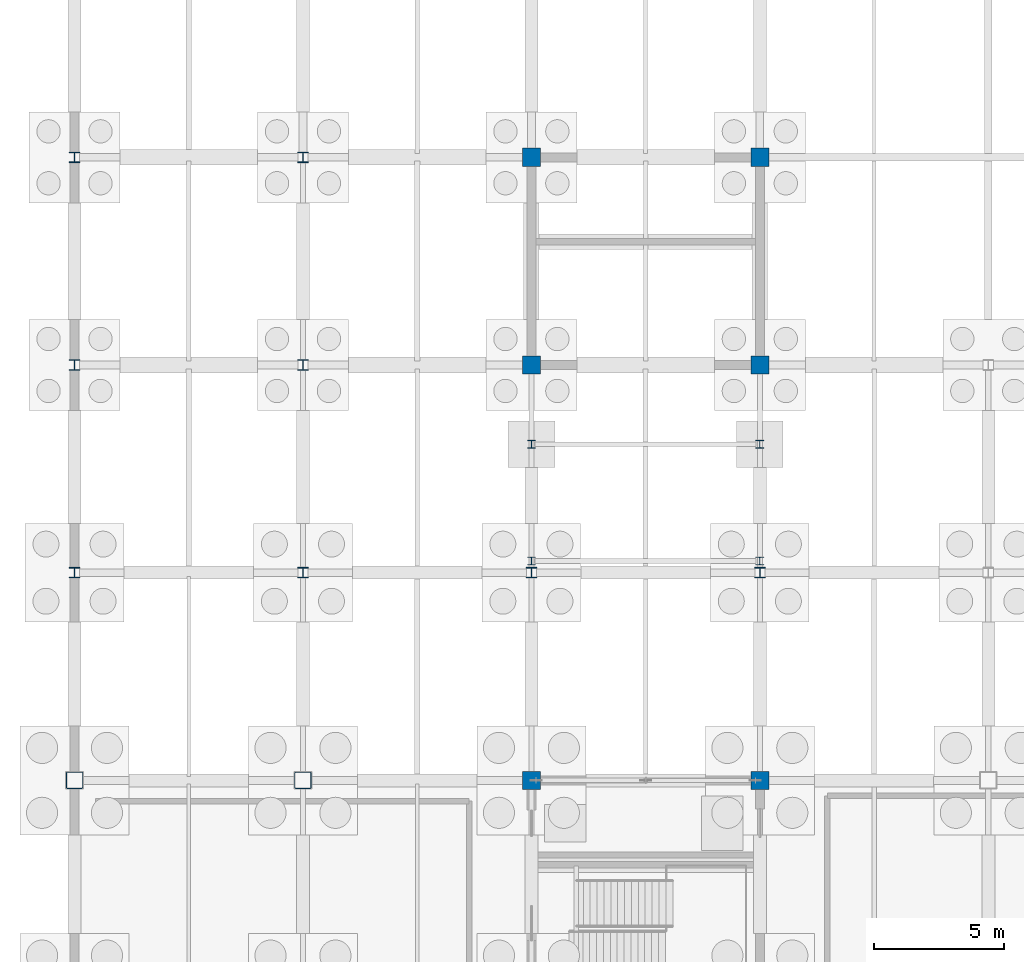
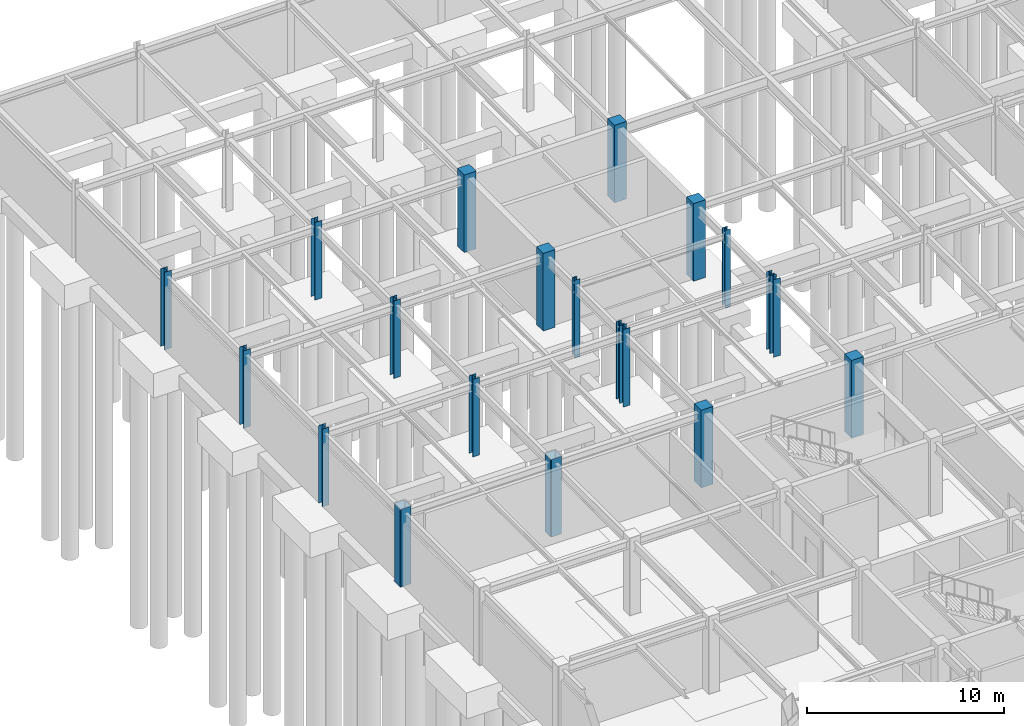
# One storey, part 21 of 72: 20 columns.
"""IFC4 building model written with IfcOpenShell, lengths in metres."""

from ifc_helpers import new_model, si_unit, direction, frame, origin, origin_2d, place, context, subcontext, project, spatial, rectangle, hollow_rectangle, i_section, extrude, material, material_profile, profile_set, type_object, element, save


model = new_model("IFC4")

# Units and contexts
model_context = context("Model", 3, precision=1e-05, world=origin(), true_north=direction((0.0, 1.0)))
body_context = subcontext(model_context, "Body", "Model", "MODEL_VIEW")
ifc_project = project(units=[si_unit("LENGTHUNIT", "METRE"), si_unit("AREAUNIT", "SQUARE_METRE"), si_unit("VOLUMEUNIT", "CUBIC_METRE"), si_unit("PLANEANGLEUNIT", "RADIAN"), si_unit("MASSUNIT", "GRAM", prefix="KILO")], contexts=[model_context])

# Site, building, storey
site_placement = place(None, origin())
site = spatial("IfcSite", under=ifc_project, at=site_placement, CompositionType="ELEMENT")
building_placement = place(site_placement, origin())
building = spatial("IfcBuilding", under=site, at=building_placement, Name="Zhaolan Boulevard Law Courts", CompositionType="ELEMENT")
storey_placement = place(building_placement, frame((0.0, 0.0, -4.800048828125)))
storey = spatial("IfcBuildingStorey", under=building, at=storey_placement, Name="B1", CompositionType="ELEMENT", Elevation=-4.800048828125)

# Columns
ifc_material_1 = material(Name="Structural steel Q390B", Category="steel")
ifc_material_profile_1 = material_profile(ifc_material_1, hollow_rectangle(XDim=0.64990234375, YDim=0.64990234375, WallThickness=0.02587890625, InnerFilletRadius=0.02587890625, OuterFilletRadius=0.052001953125, at=origin_2d()), Name="BOX650x650x26")
ifc_profile_set_1 = profile_set([ifc_material_profile_1], Name="Structural steel Q390B")
column_type_1 = type_object("IfcColumnType", Name="COL BOX650", PredefinedType="COLUMN", material=ifc_profile_set_1)
for number, where, z_axis, x_axis, name in (
    (1, (0.0, 70.0, 0.0), (0.0, 0.0, 1.0), (1.0, 0.0, 0.0), "Column C-1K (B1)"),
    (2, (8.800048828125, 70.0, 0.0), (0.0, 0.0, 1.0), (1.0, 0.0, 0.0), "Column C-2K (B1)"),
):
    element("IfcColumn", number, at=place(storey_placement, frame(where, z_axis=z_axis, x_axis=x_axis)), inside=storey, type_object=column_type_1, Name=name, PredefinedType="COLUMN", context=body_context, shape_type="SweptSolid", body=[
        extrude(hollow_rectangle(XDim=0.64990234375, YDim=0.64990234375, WallThickness=0.02587890625, InnerFilletRadius=0.02587890625, OuterFilletRadius=0.052001953125, at=origin_2d()), origin(), (0.0, 0.0, 1.0), 4.800048828125),
    ])
ifc_material_2 = material(Name="Structural steel Q355B", Category="steel")
ifc_material_profile_2 = material_profile(ifc_material_2, i_section(OverallWidth=0.300048828125, OverallDepth=0.300048828125, WebThickness=0.010009765625, FlangeThickness=0.014892578125, FilletRadius=0.01806640625, at=origin_2d()), Name="HW300x300")
ifc_profile_set_2 = profile_set([ifc_material_profile_2], Name="Structural steel Q355B")
column_type_2 = type_object("IfcColumnType", Name="COL HW300", PredefinedType="COLUMN", material=ifc_profile_set_2)
for number, where, z_axis, x_axis, name in (
    (3, (17.60009765625, 78.449951171875, 0.0), (0.0, 0.0, 1.0), (1.0, 0.0, 0.0), "Stairwell Substructure Column CS-ST12-1"),
    (4, (26.39990234375, 78.449951171875, 0.0), (0.0, 0.0, 1.0), (1.0, 0.0, 0.0), "Stairwell Substructure Column CS-ST12-2"),
    (5, (17.60009765625, 82.949951171875, 0.0), (0.0, 0.0, 1.0), (1.0, 0.0, 0.0), "Stairwell Substructure Column CS-ST12-3"),
    (6, (26.39990234375, 82.949951171875, 0.0), (0.0, 0.0, 1.0), (1.0, 0.0, 0.0), "Stairwell Substructure Column CS-ST12-4"),
):
    element("IfcColumn", number, at=place(storey_placement, frame(where, z_axis=z_axis, x_axis=x_axis)), inside=storey, type_object=column_type_2, Name=name, PredefinedType="COLUMN", context=body_context, shape_type="SweptSolid", body=[
        extrude(i_section(OverallWidth=0.300048828125, OverallDepth=0.300048828125, WebThickness=0.010009765625, FlangeThickness=0.014892578125, FilletRadius=0.01806640625, at=origin_2d()), origin(), (0.0, 0.0, 1.0), 4.800048828125),
    ])
ifc_material_3 = material(Name="Structural steel Q390B", Category="steel")
ifc_material_profile_3 = material_profile(ifc_material_3, i_section(OverallWidth=0.39990234375, OverallDepth=0.39990234375, WebThickness=0.012939453125, FlangeThickness=0.02099609375, FilletRadius=0.02197265625, at=origin_2d()), Name="HW400x400")
ifc_profile_set_3 = profile_set([ifc_material_profile_3], Name="Structural steel Q390B")
column_type_3 = type_object("IfcColumnType", Name="COL HW400", PredefinedType="COLUMN", material=ifc_profile_set_3)
for number, where, z_axis, x_axis, name in (
    (7, (0.0, 78.0, 0.0), (0.0, 0.0, 1.0), (1.0, 0.0, 0.0), "Column C-1L (B1)"),
    (8, (0.0, 86.0, 0.0), (0.0, 0.0, 1.0), (1.0, 0.0, 0.0), "Column C-1M (B1)"),
    (9, (0.0, 94.0, 0.0), (0.0, 0.0, 1.0), (1.0, 0.0, 0.0), "Column C-1N (B1)"),
    (10, (8.800048828125, 78.0, 0.0), (0.0, 0.0, 1.0), (1.0, 0.0, 0.0), "Column C-2L (B1)"),
    (11, (8.800048828125, 86.0, 0.0), (0.0, 0.0, 1.0), (1.0, 0.0, 0.0), "Column C-2M (B1)"),
    (12, (8.800048828125, 94.0, 0.0), (0.0, 0.0, 1.0), (1.0, 0.0, 0.0), "Column C-2N (B1)"),
    (13, (17.60009765625, 78.0, 0.0), (0.0, 0.0, 1.0), (1.0, 0.0, 0.0), "Column C-3L (B1)"),
    (14, (26.39990234375, 78.0, 0.0), (0.0, 0.0, 1.0), (1.0, 0.0, 0.0), "Column C-4L (B1)"),
):
    element("IfcColumn", number, at=place(storey_placement, frame(where, z_axis=z_axis, x_axis=x_axis)), inside=storey, type_object=column_type_3, Name=name, PredefinedType="COLUMN", context=body_context, shape_type="SweptSolid", body=[
        extrude(i_section(OverallWidth=0.39990234375, OverallDepth=0.39990234375, WebThickness=0.012939453125, FlangeThickness=0.02099609375, FilletRadius=0.02197265625, at=origin_2d()), origin(), (0.0, 0.0, 1.0), 4.800048828125),
    ])
ifc_material_4 = material(Name="Concrete C50", Category="concrete")
ifc_material_profile_4 = material_profile(ifc_material_4, rectangle(XDim=0.699951171875, YDim=0.699951171875, at=origin_2d()), Name="RC700x700")
ifc_profile_set_4 = profile_set([ifc_material_profile_4], Name="Concrete C50")
column_type_4 = type_object("IfcColumnType", Name="COL RC700", PredefinedType="COLUMN", material=ifc_profile_set_4)
for number, where, z_axis, x_axis, name in (
    (15, (17.60009765625, 70.0, 0.0), (0.0, 0.0, 1.0), (1.0, 0.0, 0.0), "Column C-3K (B1)"),
    (16, (17.60009765625, 86.0, 0.0), (0.0, 0.0, 1.0), (1.0, 0.0, 0.0), "Column C-3M (B1)"),
    (17, (17.60009765625, 94.0, 0.0), (0.0, 0.0, 1.0), (1.0, 0.0, 0.0), "Column C-3N (B1)"),
    (18, (26.39990234375, 70.0, 0.0), (0.0, 0.0, 1.0), (1.0, 0.0, 0.0), "Column C-4K (B1)"),
    (19, (26.39990234375, 86.0, 0.0), (0.0, 0.0, 1.0), (1.0, 0.0, 0.0), "Column C-4M (B1)"),
    (20, (26.39990234375, 94.0, 0.0), (0.0, 0.0, 1.0), (1.0, 0.0, 0.0), "Column C-4N (B1)"),
):
    element("IfcColumn", number, at=place(storey_placement, frame(where, z_axis=z_axis, x_axis=x_axis)), inside=storey, type_object=column_type_4, Name=name, PredefinedType="COLUMN", context=body_context, shape_type="SweptSolid", body=[
        extrude(rectangle(XDim=0.699951171875, YDim=0.699951171875, at=origin_2d()), origin(), (0.0, 0.0, 1.0), 4.800048828125),
    ])

save(model, "model.ifc")
